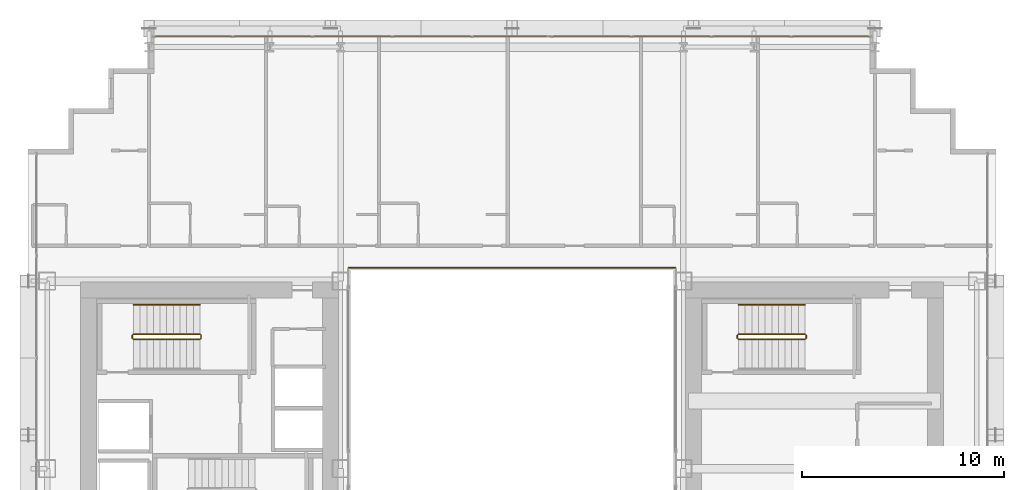
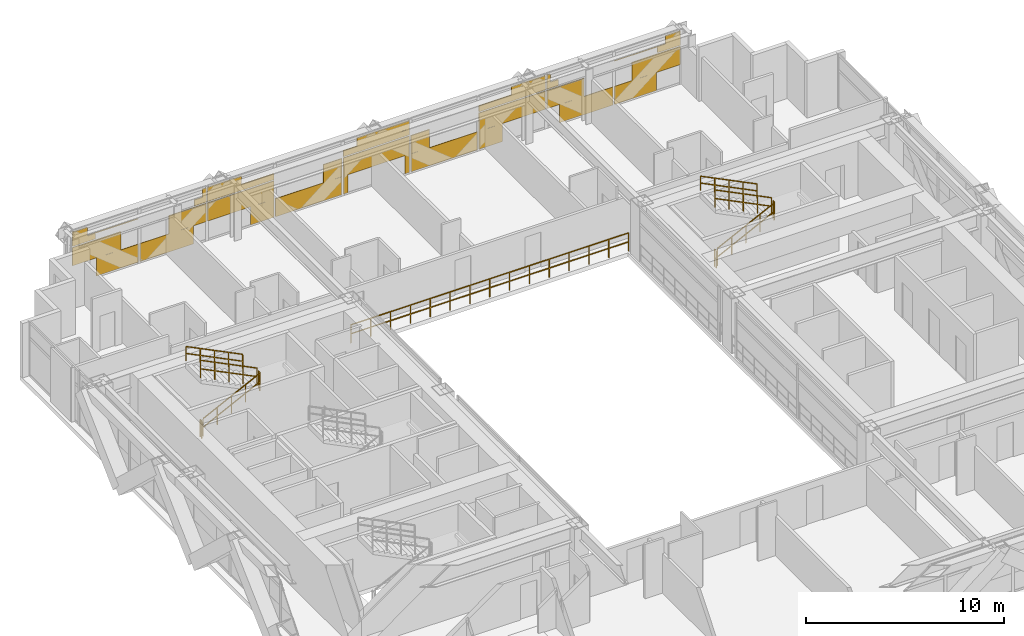
# One storey, part 41 of 41: 11 railings, 1 covering.
"""IFC4 building model written with IfcOpenShell, lengths in metres."""

from ifc_helpers import new_model, si_unit, direction, frame, origin, origin_2d, place, context, subcontext, project, spatial, rectangle, extrude, material, layer, layer_set, type_object, element, save


model = new_model("IFC4")

# Units and contexts
model_context = context("Model", 3, precision=1e-05, world=origin(), true_north=direction((0.0, 1.0)))
body_context = subcontext(model_context, "Body", "Model", "MODEL_VIEW")
ifc_project = project(units=[si_unit("LENGTHUNIT", "METRE"), si_unit("AREAUNIT", "SQUARE_METRE"), si_unit("VOLUMEUNIT", "CUBIC_METRE"), si_unit("PLANEANGLEUNIT", "RADIAN"), si_unit("MASSUNIT", "GRAM", prefix="KILO")], contexts=[model_context])

# Site, building, storey
site_placement = place(None, origin())
site = spatial("IfcSite", under=ifc_project, at=site_placement, CompositionType="ELEMENT")
building_placement = place(site_placement, origin())
building = spatial("IfcBuilding", under=site, at=building_placement, Name="Ocotamira Hotel", CompositionType="ELEMENT")
storey_placement = place(building_placement, frame((0.0, 0.0, 52.800048828125)))
storey = spatial("IfcBuildingStorey", under=building, at=storey_placement, Name="L12", CompositionType="ELEMENT", Elevation=52.800048828125)

# Covering
ifc_material_1 = material(Name="Insulated pale-metal aluminium spandrel panel", Category="aluminium")
ifc_layer = layer(ifc_material_1, 0.044921875)
ifc_layer_set = layer_set([ifc_layer], Name="Insulated pale-metal aluminium spandrel panel")
covering_type = type_object("IfcCoveringType", Name="COV-INFILL-45", PredefinedType="CLADDING", material=ifc_layer_set)
covering_placement = place(storey_placement, origin())
element("IfcCovering", 1, at=covering_placement, inside=storey, type_object=covering_type, Name="L12 Curtain Wall Infill CW-2 CW-L12-N", PredefinedType="CLADDING", context=body_context, shape_type="SweptSolid", body=[
    extrude(rectangle(XDim=2.822265625, YDim=0.044921875, at=origin_2d()), frame((15.691650390625, 49.580078125, 1.194091796875), z_axis=(0.0, 0.0, 1.0), x_axis=(1.0, 0.0, 0.0)), (0.0, 0.0, 1.0), 1.11767578125),
    extrude(rectangle(XDim=2.4521484375, YDim=0.044921875, at=origin_2d()), frame((16.888916015625, 49.580078125, 0.075439453125), z_axis=(0.0, 0.0, 1.0), x_axis=(1.0, 0.0, 0.0)), (0.0, 0.0, 1.0), 1.11767578125),
    extrude(rectangle(XDim=1.330078125, YDim=0.044921875, at=origin_2d()), frame((14.945556640625, 49.580078125, 2.3876953125), z_axis=(0.0, 0.0, 1.0), x_axis=(1.0, 0.0, 0.0)), (0.0, 0.0, 1.0), 0.344482421875),
    extrude(rectangle(XDim=3.834716796875, YDim=0.044921875, at=origin_2d()), frame((16.19775390625, 49.580078125, 2.7333984375), z_axis=(0.0, 0.0, 1.0), x_axis=(1.0, 0.0, 0.0)), (0.0, 0.0, 1.0), 0.0302734375),
    extrude(rectangle(XDim=0.859130859375, YDim=0.044921875, at=origin_2d()), frame((14.7099609375, 49.580078125, 2.7646484375), z_axis=(0.0, 0.0, 1.0), x_axis=(1.0, 0.0, 0.0)), (0.0, 0.0, 1.0), 0.509765625),
    extrude(rectangle(XDim=3.14111328125, YDim=0.044921875, at=origin_2d()), frame((19.7666015625, 49.580078125, 0.075439453125), z_axis=(0.0, 0.0, 1.0), x_axis=(1.0, 0.0, 0.0)), (0.0, 0.0, 1.0), 1.11767578125),
    extrude(rectangle(XDim=2.17333984375, YDim=0.044921875, at=origin_2d()), frame((20.98388671875, 49.580078125, 1.194091796875), z_axis=(0.0, 0.0, 1.0), x_axis=(1.0, 0.0, 0.0)), (0.0, 0.0, 1.0), 1.11767578125),
    extrude(rectangle(XDim=0.68115234375, YDim=0.044921875, at=origin_2d()), frame((21.72998046875, 49.580078125, 2.38818359375), z_axis=(0.0, 0.0, 1.0), x_axis=(1.0, 0.0, 0.0)), (0.0, 0.0, 1.0), 0.375732421875),
    extrude(rectangle(XDim=0.210205078125, YDim=0.044921875, at=origin_2d()), frame((21.965576171875, 49.580078125, 2.7646484375), z_axis=(0.0, 0.0, 1.0), x_axis=(1.0, 0.0, 0.0)), (0.0, 0.0, 1.0), 0.509765625),
    extrude(rectangle(XDim=3.87451171875, YDim=0.044921875, at=origin_2d()), frame((24.0888671875, 49.580078125, 1.194091796875), z_axis=(0.0, 0.0, 1.0), x_axis=(1.0, 0.0, 0.0)), (0.0, 0.0, 1.0), 1.11767578125),
    extrude(rectangle(XDim=1.36328125, YDim=0.044921875, at=origin_2d()), frame((25.344482421875, 49.580078125, 0.075439453125), z_axis=(0.0, 0.0, 1.0), x_axis=(1.0, 0.0, 0.0)), (0.0, 0.0, 1.0), 1.11767578125),
    extrude(rectangle(XDim=3.87451171875, YDim=0.044921875, at=origin_2d()), frame((24.0888671875, 49.580078125, 2.38818359375), z_axis=(0.0, 0.0, 1.0), x_axis=(1.0, 0.0, 0.0)), (0.0, 0.0, 1.0), 0.375732421875),
    extrude(rectangle(XDim=1.988037109375, YDim=0.044921875, at=origin_2d()), frame((23.1455078125, 49.580078125, 2.7646484375), z_axis=(0.0, 0.0, 1.0), x_axis=(1.0, 0.0, 0.0)), (0.0, 0.0, 1.0), 0.509765625),
    extrude(rectangle(XDim=3.87451171875, YDim=0.044921875, at=origin_2d()), frame((28.04443359375, 49.580078125, 0.075439453125), z_axis=(0.0, 0.0, 1.0), x_axis=(1.0, 0.0, 0.0)), (0.0, 0.0, 1.0), 1.11767578125),
    extrude(rectangle(XDim=1.08447265625, YDim=0.044921875, at=origin_2d()), frame((29.439453125, 49.580078125, 1.194091796875), z_axis=(0.0, 0.0, 1.0), x_axis=(1.0, 0.0, 0.0)), (0.0, 0.0, 1.0), 1.11767578125),
    extrude(rectangle(XDim=0.2744140625, YDim=0.044921875, at=origin_2d()), frame((30.199951171875, 49.580078125, 0.075439453125), z_axis=(0.0, 0.0, 1.0), x_axis=(1.0, 0.0, 0.0)), (0.0, 0.0, 1.0), 1.11767578125),
    extrude(rectangle(XDim=3.87451171875, YDim=0.044921875, at=origin_2d()), frame((32.0, 49.580078125, 1.194091796875), z_axis=(0.0, 0.0, 1.0), x_axis=(1.0, 0.0, 0.0)), (0.0, 0.0, 1.0), 1.11767578125),
    extrude(rectangle(XDim=0.2744140625, YDim=0.044921875, at=origin_2d()), frame((33.800048828125, 49.580078125, 0.075439453125), z_axis=(0.0, 0.0, 1.0), x_axis=(1.0, 0.0, 0.0)), (0.0, 0.0, 1.0), 1.11767578125),
    extrude(rectangle(XDim=3.87451171875, YDim=0.044921875, at=origin_2d()), frame((32.0, 49.580078125, 2.38818359375), z_axis=(0.0, 0.0, 1.0), x_axis=(1.0, 0.0, 0.0)), (0.0, 0.0, 1.0), 0.375732421875),
    extrude(rectangle(XDim=3.076904296875, YDim=0.044921875, at=origin_2d()), frame((32.39892578125, 49.580078125, 2.7646484375), z_axis=(0.0, 0.0, 1.0), x_axis=(1.0, 0.0, 0.0)), (0.0, 0.0, 1.0), 0.509765625),
    extrude(rectangle(XDim=3.87451171875, YDim=0.044921875, at=origin_2d()), frame((35.95556640625, 49.580078125, 0.075439453125), z_axis=(0.0, 0.0, 1.0), x_axis=(1.0, 0.0, 0.0)), (0.0, 0.0, 1.0), 1.11767578125),
    extrude(rectangle(XDim=1.08447265625, YDim=0.044921875, at=origin_2d()), frame((34.560546875, 49.580078125, 1.194091796875), z_axis=(0.0, 0.0, 1.0), x_axis=(1.0, 0.0, 0.0)), (0.0, 0.0, 1.0), 1.11767578125),
    extrude(rectangle(XDim=1.36328125, YDim=0.044921875, at=origin_2d()), frame((38.655517578125, 49.580078125, 0.075439453125), z_axis=(0.0, 0.0, 1.0), x_axis=(1.0, 0.0, 0.0)), (0.0, 0.0, 1.0), 1.11767578125),
    extrude(rectangle(XDim=3.87451171875, YDim=0.044921875, at=origin_2d()), frame((39.9111328125, 49.580078125, 1.194091796875), z_axis=(0.0, 0.0, 1.0), x_axis=(1.0, 0.0, 0.0)), (0.0, 0.0, 1.0), 1.11767578125),
    extrude(rectangle(XDim=3.87451171875, YDim=0.044921875, at=origin_2d()), frame((39.9111328125, 49.580078125, 2.38818359375), z_axis=(0.0, 0.0, 1.0), x_axis=(1.0, 0.0, 0.0)), (0.0, 0.0, 1.0), 0.375732421875),
    extrude(rectangle(XDim=1.988037109375, YDim=0.044921875, at=origin_2d()), frame((40.8544921875, 49.580078125, 2.7646484375), z_axis=(0.0, 0.0, 1.0), x_axis=(1.0, 0.0, 0.0)), (0.0, 0.0, 1.0), 0.509765625),
    extrude(rectangle(XDim=2.17333984375, YDim=0.044921875, at=origin_2d()), frame((43.01611328125, 49.580078125, 1.194091796875), z_axis=(0.0, 0.0, 1.0), x_axis=(1.0, 0.0, 0.0)), (0.0, 0.0, 1.0), 1.11767578125),
    extrude(rectangle(XDim=3.14111328125, YDim=0.044921875, at=origin_2d()), frame((44.2333984375, 49.580078125, 0.075439453125), z_axis=(0.0, 0.0, 1.0), x_axis=(1.0, 0.0, 0.0)), (0.0, 0.0, 1.0), 1.11767578125),
    extrude(rectangle(XDim=0.68115234375, YDim=0.044921875, at=origin_2d()), frame((42.27001953125, 49.580078125, 2.38818359375), z_axis=(0.0, 0.0, 1.0), x_axis=(1.0, 0.0, 0.0)), (0.0, 0.0, 1.0), 0.375732421875),
    extrude(rectangle(XDim=0.210205078125, YDim=0.044921875, at=origin_2d()), frame((42.034423828125, 49.580078125, 2.7646484375), z_axis=(0.0, 0.0, 1.0), x_axis=(1.0, 0.0, 0.0)), (0.0, 0.0, 1.0), 0.509765625),
    extrude(rectangle(XDim=2.4521484375, YDim=0.044921875, at=origin_2d()), frame((47.111083984375, 49.580078125, 0.075439453125), z_axis=(0.0, 0.0, 1.0), x_axis=(1.0, 0.0, 0.0)), (0.0, 0.0, 1.0), 1.11767578125),
    extrude(rectangle(XDim=2.822265625, YDim=0.044921875, at=origin_2d()), frame((48.308349609375, 49.580078125, 1.194091796875), z_axis=(0.0, 0.0, 1.0), x_axis=(1.0, 0.0, 0.0)), (0.0, 0.0, 1.0), 1.11767578125),
    extrude(rectangle(XDim=3.834716796875, YDim=0.044921875, at=origin_2d()), frame((47.80224609375, 49.580078125, 2.7333984375), z_axis=(0.0, 0.0, 1.0), x_axis=(1.0, 0.0, 0.0)), (0.0, 0.0, 1.0), 0.0302734375),
    extrude(rectangle(XDim=1.330078125, YDim=0.044921875, at=origin_2d()), frame((49.054443359375, 49.580078125, 2.3876953125), z_axis=(0.0, 0.0, 1.0), x_axis=(1.0, 0.0, 0.0)), (0.0, 0.0, 1.0), 0.344482421875),
    extrude(rectangle(XDim=0.859130859375, YDim=0.044921875, at=origin_2d()), frame((49.2900390625, 49.580078125, 2.7646484375), z_axis=(0.0, 0.0, 1.0), x_axis=(1.0, 0.0, 0.0)), (0.0, 0.0, 1.0), 0.509765625),
])

# Railings
ifc_material_2 = material(Name="Painted steel stair guardrail", Category="steel")
railing_type_1 = type_object("IfcRailingType", Name="RL-EDGE-1150", PredefinedType="GUARDRAIL", material=ifc_material_2)
railing_1_placement = place(storey_placement, frame((40.10009765625, 38.1201171875, 0.0)))
element("IfcRailing", 2, at=railing_1_placement, inside=storey, type_object=railing_type_1, Name="L12 Central Atrium Edge Guardrail N", PredefinedType="GUARDRAIL", context=body_context, shape_type="SweptSolid", body=[
    extrude(rectangle(XDim=0.048095703125, YDim=0.048095703125, at=origin_2d()), frame((0.0, 0.0, 1.1259765625), z_axis=(-1.0, 0.0, 0.0), x_axis=(0.0, -1.0, 0.0)), (0.0, 0.0, 1.0), 16.2001953125),
    extrude(rectangle(XDim=0.048095703125, YDim=0.048095703125, at=origin_2d()), frame((0.0, 0.0, 0.574951171875), z_axis=(-1.0, 0.0, 0.0), x_axis=(0.0, -1.0, 0.0)), (0.0, 0.0, 1.0), 16.2001953125),
    extrude(rectangle(XDim=0.0419921875, YDim=0.0419921875, at=origin_2d()), origin(), (0.0, 0.0, 1.0), 1.101806640625),
    extrude(rectangle(XDim=0.0419921875, YDim=0.0419921875, at=origin_2d()), frame((-1.1572265625, 0.0, 0.0)), (0.0, 0.0, 1.0), 1.101806640625),
    extrude(rectangle(XDim=0.0419921875, YDim=0.0419921875, at=origin_2d()), frame((-2.314208984375, 0.0, 0.0)), (0.0, 0.0, 1.0), 1.101806640625),
    extrude(rectangle(XDim=0.0419921875, YDim=0.0419921875, at=origin_2d()), frame((-3.471435546875, 0.0, 0.0)), (0.0, 0.0, 1.0), 1.101806640625),
    extrude(rectangle(XDim=0.0419921875, YDim=0.0419921875, at=origin_2d()), frame((-4.628662109375, 0.0, 0.0)), (0.0, 0.0, 1.0), 1.101806640625),
    extrude(rectangle(XDim=0.0419921875, YDim=0.0419921875, at=origin_2d()), frame((-5.785888671875, 0.0, 0.0)), (0.0, 0.0, 1.0), 1.101806640625),
    extrude(rectangle(XDim=0.0419921875, YDim=0.0419921875, at=origin_2d()), frame((-6.94287109375, 0.0, 0.0)), (0.0, 0.0, 1.0), 1.101806640625),
    extrude(rectangle(XDim=0.0419921875, YDim=0.0419921875, at=origin_2d()), frame((-8.10009765625, 0.0, 0.0)), (0.0, 0.0, 1.0), 1.101806640625),
    extrude(rectangle(XDim=0.0419921875, YDim=0.0419921875, at=origin_2d()), frame((-9.25732421875, 0.0, 0.0)), (0.0, 0.0, 1.0), 1.101806640625),
    extrude(rectangle(XDim=0.0419921875, YDim=0.0419921875, at=origin_2d()), frame((-10.414306640625, 0.0, 0.0)), (0.0, 0.0, 1.0), 1.101806640625),
    extrude(rectangle(XDim=0.0419921875, YDim=0.0419921875, at=origin_2d()), frame((-11.571533203125, 0.0, 0.0)), (0.0, 0.0, 1.0), 1.101806640625),
    extrude(rectangle(XDim=0.0419921875, YDim=0.0419921875, at=origin_2d()), frame((-12.728759765625, 0.0, 0.0)), (0.0, 0.0, 1.0), 1.101806640625),
    extrude(rectangle(XDim=0.0419921875, YDim=0.0419921875, at=origin_2d()), frame((-13.885986328125, 0.0, 0.0)), (0.0, 0.0, 1.0), 1.101806640625),
    extrude(rectangle(XDim=0.0419921875, YDim=0.0419921875, at=origin_2d()), frame((-15.04296875, 0.0, 0.0)), (0.0, 0.0, 1.0), 1.101806640625),
    extrude(rectangle(XDim=0.0419921875, YDim=0.0419921875, at=origin_2d()), frame((-16.2001953125, 0.0, 0.0)), (0.0, 0.0, 1.0), 1.101806640625),
])
ifc_material_3 = material(Name="Brushed stainless steel handrail", Category="steel")
railing_type_2 = type_object("IfcRailingType", Name="RL-HAND-900", PredefinedType="HANDRAIL", material=ifc_material_3)
for number, where, name in (
    (3, (16.530029296875, 36.280029296875, 2.127197265625), "L12 ST-2 stair handrail 2"),
    (4, (46.530029296875, 36.280029296875, 2.127197265625), "L12 ST-4 stair handrail 2"),
):
    element("IfcRailing", number, at=place(storey_placement, frame(where)), inside=storey, type_object=railing_type_2, Name=name, PredefinedType="HANDRAIL", context=body_context, shape_type="SweptSolid", body=[
        extrude(rectangle(XDim=0.048095703125, YDim=0.048095703125, at=origin_2d()), frame((0.0, 0.0, 0.8759765625), z_axis=(-0.895893744519, 0.0, 0.4442683857), x_axis=(0.0, -1.0, 0.0)), (0.0, 0.0, 1.0), 3.68359375),
        extrude(rectangle(XDim=0.048095703125, YDim=0.048095703125, at=origin_2d()), frame((0.0, 0.0, 0.449951171875), z_axis=(-0.895893744519, 0.0, 0.4442683857), x_axis=(0.0, -1.0, 0.0)), (0.0, 0.0, 1.0), 3.68359375),
        extrude(rectangle(XDim=0.0419921875, YDim=0.0419921875, at=origin_2d()), origin(), (0.0, 0.0, 1.0), 0.851806640625),
        extrude(rectangle(XDim=0.0419921875, YDim=0.0419921875, at=origin_2d()), frame((-0.824951171875, 0.0, 0.4091796875)), (0.0, 0.0, 1.0), 0.851806640625),
        extrude(rectangle(XDim=0.0419921875, YDim=0.0419921875, at=origin_2d()), frame((-1.64990234375, 0.0, 0.818359375)), (0.0, 0.0, 1.0), 0.851806640625),
        extrude(rectangle(XDim=0.0419921875, YDim=0.0419921875, at=origin_2d()), frame((-2.47509765625, 0.0, 1.227294921875)), (0.0, 0.0, 1.0), 0.851806640625),
        extrude(rectangle(XDim=0.0419921875, YDim=0.0419921875, at=origin_2d()), frame((-3.300048828125, 0.0, 1.636474609375)), (0.0, 0.0, 1.0), 0.851806640625),
    ])
railing_type_3 = type_object("IfcRailingType", Name="RL-STAIR-1100", PredefinedType="GUARDRAIL", material=ifc_material_2)
railing_2_placement = place(storey_placement, frame((13.22998046875, 34.56005859375, 0.16357421875)))
element("IfcRailing", 5, at=railing_2_placement, inside=storey, type_object=railing_type_3, Name="L12 ST-2 stair guard 1", PredefinedType="GUARDRAIL", context=body_context, shape_type="SweptSolid", body=[
    extrude(rectangle(XDim=0.048095703125, YDim=0.048095703125, at=origin_2d()), frame((0.0, 0.0, 1.076171875), z_axis=(0.895893744519, 0.0, 0.4442683857), x_axis=(0.0, 1.0, 0.0)), (0.0, 0.0, 1.0), 3.68359375),
    extrude(rectangle(XDim=0.048095703125, YDim=0.048095703125, at=origin_2d()), frame((0.0, 0.0, 0.550048828125), z_axis=(0.895893744519, 0.0, 0.4442683857), x_axis=(0.0, 1.0, 0.0)), (0.0, 0.0, 1.0), 3.68359375),
    extrude(rectangle(XDim=0.0419921875, YDim=0.0419921875, at=origin_2d()), origin(), (0.0, 0.0, 1.0), 1.052001953125),
    extrude(rectangle(XDim=0.0419921875, YDim=0.0419921875, at=origin_2d()), frame((0.824951171875, 0.0, 0.4091796875)), (0.0, 0.0, 1.0), 1.052001953125),
    extrude(rectangle(XDim=0.0419921875, YDim=0.0419921875, at=origin_2d()), frame((1.64990234375, 0.0, 0.818359375)), (0.0, 0.0, 1.0), 1.052001953125),
    extrude(rectangle(XDim=0.0419921875, YDim=0.0419921875, at=origin_2d()), frame((2.47509765625, 0.0, 1.227294921875)), (0.0, 0.0, 1.0), 1.052001953125),
    extrude(rectangle(XDim=0.0419921875, YDim=0.0419921875, at=origin_2d()), frame((3.300048828125, 0.0, 1.636474609375)), (0.0, 0.0, 1.0), 1.052001953125),
])
railing_3_placement = place(storey_placement, frame((16.580078125, 34.610107421875, 1.800048828125)))
element("IfcRailing", 6, at=railing_3_placement, inside=storey, type_object=railing_type_3, Name="L12 ST-2 stair guard 2", PredefinedType="GUARDRAIL", context=body_context, shape_type="SweptSolid", body=[
    extrude(rectangle(XDim=0.048095703125, YDim=0.048095703125, at=origin_2d()), frame((0.0, 0.0, 1.076171875), z_axis=(0.0, 1.0, 0.0), x_axis=(-1.0, 0.0, 0.0)), (0.0, 0.0, 1.0), 0.159912109375),
    extrude(rectangle(XDim=0.048095703125, YDim=0.048095703125, at=origin_2d()), frame((0.0, 0.0, 0.550048828125), z_axis=(0.0, 1.0, 0.0), x_axis=(-1.0, 0.0, 0.0)), (0.0, 0.0, 1.0), 0.159912109375),
    extrude(rectangle(XDim=0.0419921875, YDim=0.0419921875, at=origin_2d()), origin(), (0.0, 0.0, 1.0), 1.052001953125),
    extrude(rectangle(XDim=0.0419921875, YDim=0.0419921875, at=origin_2d()), frame((0.0, 0.159912109375, 0.0)), (0.0, 0.0, 1.0), 1.052001953125),
])
railing_4_placement = place(storey_placement, frame((16.530029296875, 34.820068359375, 1.963623046875)))
element("IfcRailing", 7, at=railing_4_placement, inside=storey, type_object=railing_type_3, Name="L12 ST-2 stair guard 3", PredefinedType="GUARDRAIL", context=body_context, shape_type="SweptSolid", body=[
    extrude(rectangle(XDim=0.048095703125, YDim=0.048095703125, at=origin_2d()), frame((0.0, 0.0, 1.076171875), z_axis=(-0.895920123917, 0.0, 0.444215186098), x_axis=(0.0, -1.0, 0.0)), (0.0, 0.0, 1.0), 3.683349609375),
    extrude(rectangle(XDim=0.048095703125, YDim=0.048095703125, at=origin_2d()), frame((0.0, 0.0, 0.550048828125), z_axis=(-0.895920123917, 0.0, 0.444215186098), x_axis=(0.0, -1.0, 0.0)), (0.0, 0.0, 1.0), 3.683349609375),
    extrude(rectangle(XDim=0.0419921875, YDim=0.0419921875, at=origin_2d()), origin(), (0.0, 0.0, 1.0), 1.052001953125),
    extrude(rectangle(XDim=0.0419921875, YDim=0.0419921875, at=origin_2d()), frame((-0.824951171875, 0.0, 0.4091796875)), (0.0, 0.0, 1.0), 1.052001953125),
    extrude(rectangle(XDim=0.0419921875, YDim=0.0419921875, at=origin_2d()), frame((-1.64990234375, 0.0, 0.818115234375)), (0.0, 0.0, 1.0), 1.052001953125),
    extrude(rectangle(XDim=0.0419921875, YDim=0.0419921875, at=origin_2d()), frame((-2.47509765625, 0.0, 1.22705078125)), (0.0, 0.0, 1.0), 1.052001953125),
    extrude(rectangle(XDim=0.0419921875, YDim=0.0419921875, at=origin_2d()), frame((-3.300048828125, 0.0, 1.63623046875)), (0.0, 0.0, 1.0), 1.052001953125),
])
railing_5_placement = place(storey_placement, frame((13.179931640625, 34.610107421875, 0.0)))
element("IfcRailing", 8, at=railing_5_placement, inside=storey, type_object=railing_type_3, Name="L12 ST-2 stair guard 4", PredefinedType="GUARDRAIL", context=body_context, shape_type="SweptSolid", body=[
    extrude(rectangle(XDim=0.048095703125, YDim=0.048095703125, at=origin_2d()), frame((0.0, 0.0, 1.076171875), z_axis=(0.0, 1.0, 0.0), x_axis=(-1.0, 0.0, 0.0)), (0.0, 0.0, 1.0), 0.159912109375),
    extrude(rectangle(XDim=0.048095703125, YDim=0.048095703125, at=origin_2d()), frame((0.0, 0.0, 0.550048828125), z_axis=(0.0, 1.0, 0.0), x_axis=(-1.0, 0.0, 0.0)), (0.0, 0.0, 1.0), 0.159912109375),
    extrude(rectangle(XDim=0.0419921875, YDim=0.0419921875, at=origin_2d()), origin(), (0.0, 0.0, 1.0), 1.052001953125),
    extrude(rectangle(XDim=0.0419921875, YDim=0.0419921875, at=origin_2d()), frame((0.0, 0.159912109375, 0.0)), (0.0, 0.0, 1.0), 1.052001953125),
])
railing_6_placement = place(storey_placement, frame((43.22998046875, 34.56005859375, 0.16357421875)))
element("IfcRailing", 9, at=railing_6_placement, inside=storey, type_object=railing_type_3, Name="L12 ST-4 stair guard 1", PredefinedType="GUARDRAIL", context=body_context, shape_type="SweptSolid", body=[
    extrude(rectangle(XDim=0.048095703125, YDim=0.048095703125, at=origin_2d()), frame((0.0, 0.0, 1.076171875), z_axis=(0.895893744519, 0.0, 0.4442683857), x_axis=(0.0, 1.0, 0.0)), (0.0, 0.0, 1.0), 3.68359375),
    extrude(rectangle(XDim=0.048095703125, YDim=0.048095703125, at=origin_2d()), frame((0.0, 0.0, 0.550048828125), z_axis=(0.895893744519, 0.0, 0.4442683857), x_axis=(0.0, 1.0, 0.0)), (0.0, 0.0, 1.0), 3.68359375),
    extrude(rectangle(XDim=0.0419921875, YDim=0.0419921875, at=origin_2d()), origin(), (0.0, 0.0, 1.0), 1.052001953125),
    extrude(rectangle(XDim=0.0419921875, YDim=0.0419921875, at=origin_2d()), frame((0.824951171875, 0.0, 0.4091796875)), (0.0, 0.0, 1.0), 1.052001953125),
    extrude(rectangle(XDim=0.0419921875, YDim=0.0419921875, at=origin_2d()), frame((1.64990234375, 0.0, 0.818359375)), (0.0, 0.0, 1.0), 1.052001953125),
    extrude(rectangle(XDim=0.0419921875, YDim=0.0419921875, at=origin_2d()), frame((2.47509765625, 0.0, 1.227294921875)), (0.0, 0.0, 1.0), 1.052001953125),
    extrude(rectangle(XDim=0.0419921875, YDim=0.0419921875, at=origin_2d()), frame((3.300048828125, 0.0, 1.636474609375)), (0.0, 0.0, 1.0), 1.052001953125),
])
railing_7_placement = place(storey_placement, frame((46.580078125, 34.610107421875, 1.800048828125)))
element("IfcRailing", 10, at=railing_7_placement, inside=storey, type_object=railing_type_3, Name="L12 ST-4 stair guard 2", PredefinedType="GUARDRAIL", context=body_context, shape_type="SweptSolid", body=[
    extrude(rectangle(XDim=0.048095703125, YDim=0.048095703125, at=origin_2d()), frame((0.0, 0.0, 1.076171875), z_axis=(0.0, 1.0, 0.0), x_axis=(-1.0, 0.0, 0.0)), (0.0, 0.0, 1.0), 0.159912109375),
    extrude(rectangle(XDim=0.048095703125, YDim=0.048095703125, at=origin_2d()), frame((0.0, 0.0, 0.550048828125), z_axis=(0.0, 1.0, 0.0), x_axis=(-1.0, 0.0, 0.0)), (0.0, 0.0, 1.0), 0.159912109375),
    extrude(rectangle(XDim=0.0419921875, YDim=0.0419921875, at=origin_2d()), origin(), (0.0, 0.0, 1.0), 1.052001953125),
    extrude(rectangle(XDim=0.0419921875, YDim=0.0419921875, at=origin_2d()), frame((0.0, 0.159912109375, 0.0)), (0.0, 0.0, 1.0), 1.052001953125),
])
railing_8_placement = place(storey_placement, frame((46.530029296875, 34.820068359375, 1.963623046875)))
element("IfcRailing", 11, at=railing_8_placement, inside=storey, type_object=railing_type_3, Name="L12 ST-4 stair guard 3", PredefinedType="GUARDRAIL", context=body_context, shape_type="SweptSolid", body=[
    extrude(rectangle(XDim=0.048095703125, YDim=0.048095703125, at=origin_2d()), frame((0.0, 0.0, 1.076171875), z_axis=(-0.895920123917, 0.0, 0.444215186098), x_axis=(0.0, -1.0, 0.0)), (0.0, 0.0, 1.0), 3.683349609375),
    extrude(rectangle(XDim=0.048095703125, YDim=0.048095703125, at=origin_2d()), frame((0.0, 0.0, 0.550048828125), z_axis=(-0.895920123917, 0.0, 0.444215186098), x_axis=(0.0, -1.0, 0.0)), (0.0, 0.0, 1.0), 3.683349609375),
    extrude(rectangle(XDim=0.0419921875, YDim=0.0419921875, at=origin_2d()), origin(), (0.0, 0.0, 1.0), 1.052001953125),
    extrude(rectangle(XDim=0.0419921875, YDim=0.0419921875, at=origin_2d()), frame((-0.824951171875, 0.0, 0.4091796875)), (0.0, 0.0, 1.0), 1.052001953125),
    extrude(rectangle(XDim=0.0419921875, YDim=0.0419921875, at=origin_2d()), frame((-1.64990234375, 0.0, 0.818115234375)), (0.0, 0.0, 1.0), 1.052001953125),
    extrude(rectangle(XDim=0.0419921875, YDim=0.0419921875, at=origin_2d()), frame((-2.47509765625, 0.0, 1.22705078125)), (0.0, 0.0, 1.0), 1.052001953125),
    extrude(rectangle(XDim=0.0419921875, YDim=0.0419921875, at=origin_2d()), frame((-3.300048828125, 0.0, 1.63623046875)), (0.0, 0.0, 1.0), 1.052001953125),
])
railing_9_placement = place(storey_placement, frame((43.179931640625, 34.610107421875, 0.0)))
element("IfcRailing", 12, at=railing_9_placement, inside=storey, type_object=railing_type_3, Name="L12 ST-4 stair guard 4", PredefinedType="GUARDRAIL", context=body_context, shape_type="SweptSolid", body=[
    extrude(rectangle(XDim=0.048095703125, YDim=0.048095703125, at=origin_2d()), frame((0.0, 0.0, 1.076171875), z_axis=(0.0, 1.0, 0.0), x_axis=(-1.0, 0.0, 0.0)), (0.0, 0.0, 1.0), 0.159912109375),
    extrude(rectangle(XDim=0.048095703125, YDim=0.048095703125, at=origin_2d()), frame((0.0, 0.0, 0.550048828125), z_axis=(0.0, 1.0, 0.0), x_axis=(-1.0, 0.0, 0.0)), (0.0, 0.0, 1.0), 0.159912109375),
    extrude(rectangle(XDim=0.0419921875, YDim=0.0419921875, at=origin_2d()), origin(), (0.0, 0.0, 1.0), 1.052001953125),
    extrude(rectangle(XDim=0.0419921875, YDim=0.0419921875, at=origin_2d()), frame((0.0, 0.159912109375, 0.0)), (0.0, 0.0, 1.0), 1.052001953125),
])

save(model, "model.ifc")
